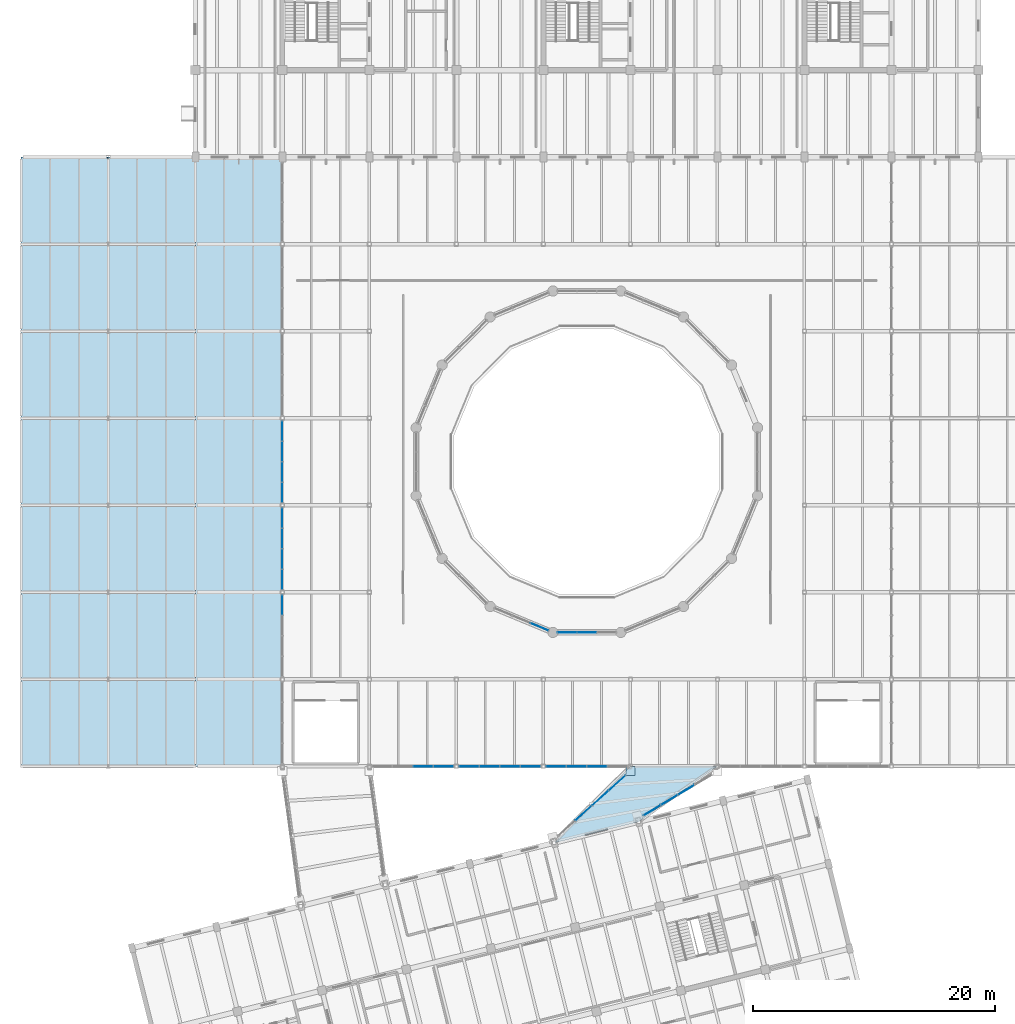
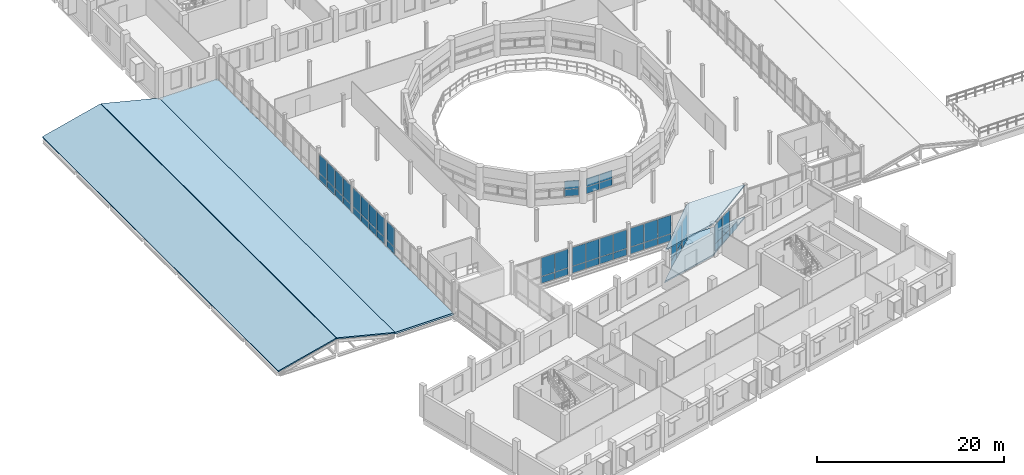
# One storey, part 39 of 63: 54 plates, 5 slabs, 10 elements without a shape of their own.
"""IFC4 building model written with IfcOpenShell, lengths in metres."""

from ifc_helpers import new_model, si_unit, direction, frame, frame_2d, origin, origin_2d, place, context, subcontext, project, spatial, polyline, rectangle, outline, extrude, material, layer, layer_set, type_object, element, aggregate, save


model = new_model("IFC4")

# Units and contexts
model_context = context("Model", 3, precision=1e-05, world=origin(), true_north=direction((0.0, 1.0)))
body_context = subcontext(model_context, "Body", "Model", "MODEL_VIEW")
ifc_project = project(units=[si_unit("LENGTHUNIT", "METRE"), si_unit("AREAUNIT", "SQUARE_METRE"), si_unit("VOLUMEUNIT", "CUBIC_METRE"), si_unit("PLANEANGLEUNIT", "RADIAN"), si_unit("MASSUNIT", "GRAM", prefix="KILO")], contexts=[model_context])

# Site, building, storey
site_placement = place(None, origin())
site = spatial("IfcSite", under=ifc_project, at=site_placement, CompositionType="ELEMENT")
building_placement = place(site_placement, origin())
building = spatial("IfcBuilding", under=site, at=building_placement, Name="Qiaolan Assembly House", CompositionType="ELEMENT")
storey_placement = place(building_placement, frame((0.0, 0.0, 14.39990234375)))
storey = spatial("IfcBuildingStorey", under=building, at=storey_placement, Name="L03", CompositionType="ELEMENT", Elevation=14.39990234375)

# Curtain wall, plates
ifc_material_1 = material(Name="Anodised bronze aluminium", Category="aluminium")
curtain_wall_type_1 = type_object("IfcCurtainWallType", Name="CW-BRIDGE-420", PredefinedType="NOTDEFINED", material=ifc_material_1)
curtain_wall_1_placement = place(storey_placement, origin())
curtain_wall_1 = element("IfcCurtainWall", 1, at=curtain_wall_1_placement, inside=storey, type_object=curtain_wall_type_1, Name="CW-03 Glazed Skybridge Curtain Wall EB L03 W", PredefinedType="NOTDEFINED")
ifc_material_2 = material(Name="Low-E double insulating glass", Category="glass")
ifc_layer_1 = layer(ifc_material_2, 0.030029296875)
ifc_layer_set_1 = layer_set([ifc_layer_1], Name="Low-E double insulating glass")
plate_type_1 = type_object("IfcPlateType", Name="CW-BRIDGE-420-PNL", PredefinedType="CURTAIN_PANEL", material=ifc_layer_set_1)
plate_1_placement = place(storey_placement, frame((67.46142578125, 31.536865234375, 0.05615234375), z_axis=(0.0, 0.0, 1.0), x_axis=(0.74511683549, 0.666933955853, 0.0)))
plate_1 = element("IfcPlate", 2, at=plate_1_placement, type_object=plate_type_1, Name="GL-04 glazing panel CW-BRIDGE-EB-L03-W-3", PredefinedType="CURTAIN_PANEL", context=body_context, shape_type="SweptSolid", body=[
    extrude(rectangle(XDim=1.795654296875, YDim=0.030029296875, at=frame_2d((0.89794921875, 0.0))), origin(), (0.0, 0.0, 1.0), 0.867919921875),
])
plate_2_placement = place(storey_placement, frame((67.46142578125, 31.536865234375, 0.97607421875), z_axis=(0.0, 0.0, 1.0), x_axis=(0.74511683549, 0.666933955853, 0.0)))
plate_2 = element("IfcPlate", 3, at=plate_2_placement, type_object=plate_type_1, Name="GL-04 glazing panel CW-BRIDGE-EB-L03-W-4", PredefinedType="CURTAIN_PANEL", context=body_context, shape_type="SweptSolid", body=[
    extrude(rectangle(XDim=1.795654296875, YDim=0.030029296875, at=frame_2d((0.89794921875, 0.0))), origin(), (0.0, 0.0, 1.0), 2.51806640625),
])
plate_3_placement = place(storey_placement, frame((68.845458984375, 32.775634765625, 0.05615234375), z_axis=(0.0, 0.0, 1.0), x_axis=(0.744988771168, 0.667077005175, 0.0)))
plate_3 = element("IfcPlate", 4, at=plate_3_placement, type_object=plate_type_1, Name="GL-04 glazing panel CW-BRIDGE-EB-L03-W-5", PredefinedType="CURTAIN_PANEL", context=body_context, shape_type="SweptSolid", body=[
    extrude(rectangle(XDim=1.79541015625, YDim=0.030029296875, at=frame_2d((0.897705078125, 0.0))), origin(), (0.0, 0.0, 1.0), 0.867919921875),
])
plate_4_placement = place(storey_placement, frame((68.845458984375, 32.775634765625, 0.97607421875), z_axis=(0.0, 0.0, 1.0), x_axis=(0.744988771168, 0.667077005175, 0.0)))
plate_4 = element("IfcPlate", 5, at=plate_4_placement, type_object=plate_type_1, Name="GL-04 glazing panel CW-BRIDGE-EB-L03-W-6", PredefinedType="CURTAIN_PANEL", context=body_context, shape_type="SweptSolid", body=[
    extrude(rectangle(XDim=1.79541015625, YDim=0.030029296875, at=frame_2d((0.897705078125, 0.0))), origin(), (0.0, 0.0, 1.0), 2.51806640625),
])
plate_5_placement = place(storey_placement, frame((70.2294921875, 34.014892578125, 0.05615234375), z_axis=(0.0, 0.0, 1.0), x_axis=(0.745056346619, 0.667001529506, 0.0)))
plate_5 = element("IfcPlate", 6, at=plate_5_placement, type_object=plate_type_1, Name="GL-04 glazing panel CW-BRIDGE-EB-L03-W-7", PredefinedType="CURTAIN_PANEL", context=body_context, shape_type="SweptSolid", body=[
    extrude(rectangle(XDim=1.79541015625, YDim=0.030029296875, at=frame_2d((0.897705078125, 0.0))), origin(), (0.0, 0.0, 1.0), 0.867919921875),
])
plate_6_placement = place(storey_placement, frame((70.2294921875, 34.014892578125, 0.97607421875), z_axis=(0.0, 0.0, 1.0), x_axis=(0.745056346619, 0.667001529506, 0.0)))
plate_6 = element("IfcPlate", 7, at=plate_6_placement, type_object=plate_type_1, Name="GL-04 glazing panel CW-BRIDGE-EB-L03-W-8", PredefinedType="CURTAIN_PANEL", context=body_context, shape_type="SweptSolid", body=[
    extrude(rectangle(XDim=1.79541015625, YDim=0.030029296875, at=frame_2d((0.897705078125, 0.0))), origin(), (0.0, 0.0, 1.0), 2.51806640625),
])
aggregate(curtain_wall_1, [plate_1, plate_2, plate_3, plate_4, plate_5, plate_6])

curtain_wall_2_placement = place(storey_placement, origin())
curtain_wall_2 = element("IfcCurtainWall", 8, at=curtain_wall_2_placement, inside=storey, type_object=curtain_wall_type_1, Name="CW-03 Glazed Skybridge Curtain Wall EB L03 E", PredefinedType="NOTDEFINED")
plate_7_placement = place(storey_placement, frame((77.29541015625, 34.455322265625, 0.05615234375), z_axis=(0.0, 0.0, 1.0), x_axis=(-0.857178991149, -0.515018618239, 0.0)))
plate_7 = element("IfcPlate", 9, at=plate_7_placement, type_object=plate_type_1, Name="GL-04 glazing panel CW-BRIDGE-EB-L03-E-3", PredefinedType="CURTAIN_PANEL", context=body_context, shape_type="SweptSolid", body=[
    extrude(rectangle(XDim=1.5791015625, YDim=0.030029296875, at=frame_2d((0.78955078125, 0.0))), origin(), (0.0, 0.0, 1.0), 0.867919921875),
])
plate_8_placement = place(storey_placement, frame((75.888916015625, 33.610107421875, 0.05615234375), z_axis=(0.0, 0.0, 1.0), x_axis=(-0.857110732757, -0.515132208071, 0.0)))
plate_8 = element("IfcPlate", 10, at=plate_8_placement, type_object=plate_type_1, Name="GL-04 glazing panel CW-BRIDGE-EB-L03-E-5", PredefinedType="CURTAIN_PANEL", context=body_context, shape_type="SweptSolid", body=[
    extrude(rectangle(XDim=1.5791015625, YDim=0.030029296875, at=frame_2d((0.78955078125, 0.0))), origin(), (0.0, 0.0, 1.0), 0.867919921875),
])
plate_9_placement = place(storey_placement, frame((75.888916015625, 33.610107421875, 0.97607421875), z_axis=(0.0, 0.0, 1.0), x_axis=(-0.857110732757, -0.515132208071, 0.0)))
plate_9 = element("IfcPlate", 11, at=plate_9_placement, type_object=plate_type_1, Name="GL-04 glazing panel CW-BRIDGE-EB-L03-E-6", PredefinedType="CURTAIN_PANEL", context=body_context, shape_type="SweptSolid", body=[
    extrude(rectangle(XDim=1.5791015625, YDim=0.030029296875, at=frame_2d((0.78955078125, 0.0))), origin(), (0.0, 0.0, 1.0), 2.51806640625),
])
plate_10_placement = place(storey_placement, frame((74.482177734375, 32.7646484375, 0.05615234375), z_axis=(0.0, 0.0, 1.0), x_axis=(-0.857110732757, -0.515132208071, 0.0)))
plate_10 = element("IfcPlate", 12, at=plate_10_placement, type_object=plate_type_1, Name="GL-04 glazing panel CW-BRIDGE-EB-L03-E-7", PredefinedType="CURTAIN_PANEL", context=body_context, shape_type="SweptSolid", body=[
    extrude(rectangle(XDim=1.5791015625, YDim=0.030029296875, at=frame_2d((0.78955078125, 0.0))), origin(), (0.0, 0.0, 1.0), 0.867919921875),
])
plate_11_placement = place(storey_placement, frame((74.482177734375, 32.7646484375, 0.97607421875), z_axis=(0.0, 0.0, 1.0), x_axis=(-0.857110732757, -0.515132208071, 0.0)))
plate_11 = element("IfcPlate", 13, at=plate_11_placement, type_object=plate_type_1, Name="GL-04 glazing panel CW-BRIDGE-EB-L03-E-8", PredefinedType="CURTAIN_PANEL", context=body_context, shape_type="SweptSolid", body=[
    extrude(rectangle(XDim=1.5791015625, YDim=0.030029296875, at=frame_2d((0.78955078125, 0.0))), origin(), (0.0, 0.0, 1.0), 2.51806640625),
])
aggregate(curtain_wall_2, [plate_7, plate_8, plate_9, plate_10, plate_11])

curtain_wall_type_2 = type_object("IfcCurtainWallType", Name="CW-DRUM-CLERESTORY", PredefinedType="NOTDEFINED", material=ifc_material_1)
curtain_wall_3_placement = place(storey_placement, origin())
curtain_wall_3 = element("IfcCurtainWall", 14, at=curtain_wall_3_placement, inside=storey, type_object=curtain_wall_type_2, Name="CW-06 Council Chamber Drum Clerestory Curtain Wall 11", PredefinedType="NOTDEFINED")
ifc_layer_2 = layer(ifc_material_2, 0.02392578125)
ifc_layer_set_2 = layer_set([ifc_layer_2], Name="Low-E double insulating glass")
plate_type_2 = type_object("IfcPlateType", Name="CW-DRUM-CLERESTORY-PNL", PredefinedType="CURTAIN_PANEL", material=ifc_layer_set_2)
plate_12_placement = place(storey_placement, frame((65.216552734375, 47.231689453125, 0.85107421875), z_axis=(0.0, 0.0, 1.0), x_axis=(-0.923880321581, 0.382681527377, 0.0)))
plate_12 = element("IfcPlate", 15, at=plate_12_placement, type_object=plate_type_2, Name="GL-07 glazing panel CW-DRUM-CLER-10-1", PredefinedType="CURTAIN_PANEL", context=body_context, shape_type="SweptSolid", body=[
    extrude(rectangle(XDim=1.5693359375, YDim=0.02392578125, at=frame_2d((0.78466796875, 0.0))), origin(), (0.0, 0.0, 1.0), 0.8779296875),
])
plate_13_placement = place(storey_placement, frame((65.216552734375, 47.231689453125, 1.77099609375), z_axis=(0.0, 0.0, 1.0), x_axis=(-0.923880321581, 0.382681527377, 0.0)))
plate_13 = element("IfcPlate", 16, at=plate_13_placement, type_object=plate_type_2, Name="GL-07 glazing panel CW-DRUM-CLER-10-2", PredefinedType="CURTAIN_PANEL", context=body_context, shape_type="SweptSolid", body=[
    extrude(rectangle(XDim=1.5693359375, YDim=0.02392578125, at=frame_2d((0.78466796875, 0.0))), origin(), (0.0, 0.0, 1.0), 1.078125),
])
aggregate(curtain_wall_3, [plate_12, plate_13])

curtain_wall_4_placement = place(storey_placement, origin())
curtain_wall_4 = element("IfcCurtainWall", 17, at=curtain_wall_4_placement, inside=storey, type_object=curtain_wall_type_2, Name="CW-06 Council Chamber Drum Clerestory Curtain Wall 12", PredefinedType="NOTDEFINED")
plate_14_placement = place(storey_placement, frame((69.184814453125, 47.07666015625, 0.85107421875), z_axis=(0.0, 0.0, 1.0), x_axis=(-1.0, 0.0, 0.0)))
plate_14 = element("IfcPlate", 18, at=plate_14_placement, type_object=plate_type_2, Name="GL-07 glazing panel CW-DRUM-CLER-11-3", PredefinedType="CURTAIN_PANEL", context=body_context, shape_type="SweptSolid", body=[
    extrude(rectangle(XDim=1.569580078125, YDim=0.02392578125, at=frame_2d((0.78466796875, 0.0))), origin(), (0.0, 0.0, 1.0), 0.8779296875),
])
plate_15_placement = place(storey_placement, frame((69.184814453125, 47.07666015625, 1.77099609375), z_axis=(0.0, 0.0, 1.0), x_axis=(-1.0, 0.0, 0.0)))
plate_15 = element("IfcPlate", 19, at=plate_15_placement, type_object=plate_type_2, Name="GL-07 glazing panel CW-DRUM-CLER-11-4", PredefinedType="CURTAIN_PANEL", context=body_context, shape_type="SweptSolid", body=[
    extrude(rectangle(XDim=1.569580078125, YDim=0.02392578125, at=frame_2d((0.78466796875, 0.0))), origin(), (0.0, 0.0, 1.0), 1.078125),
])
plate_16_placement = place(storey_placement, frame((67.565185546875, 47.07666015625, 0.85107421875), z_axis=(0.0, 0.0, 1.0), x_axis=(-1.0, 0.0, 0.0)))
plate_16 = element("IfcPlate", 20, at=plate_16_placement, type_object=plate_type_2, Name="GL-07 glazing panel CW-DRUM-CLER-11-5", PredefinedType="CURTAIN_PANEL", context=body_context, shape_type="SweptSolid", body=[
    extrude(rectangle(XDim=1.569580078125, YDim=0.02392578125, at=frame_2d((0.78466796875, 0.0))), origin(), (0.0, 0.0, 1.0), 0.8779296875),
])
plate_17_placement = place(storey_placement, frame((67.565185546875, 47.07666015625, 1.77099609375), z_axis=(0.0, 0.0, 1.0), x_axis=(-1.0, 0.0, 0.0)))
plate_17 = element("IfcPlate", 21, at=plate_17_placement, type_object=plate_type_2, Name="GL-07 glazing panel CW-DRUM-CLER-11-6", PredefinedType="CURTAIN_PANEL", context=body_context, shape_type="SweptSolid", body=[
    extrude(rectangle(XDim=1.569580078125, YDim=0.02392578125, at=frame_2d((0.78466796875, 0.0))), origin(), (0.0, 0.0, 1.0), 1.078125),
])
aggregate(curtain_wall_4, [plate_14, plate_15, plate_16, plate_17])

curtain_wall_type_3 = type_object("IfcCurtainWallType", Name="CW-HALL-CONC-420", PredefinedType="NOTDEFINED", material=ifc_material_1)
curtain_wall_5_placement = place(storey_placement, origin())
curtain_wall_5 = element("IfcCurtainWall", 22, at=curtain_wall_5_placement, inside=storey, type_object=curtain_wall_type_3, Name="CW-07 L03 Concourse South CW 2", PredefinedType="NOTDEFINED")
ifc_layer_3 = layer(ifc_material_2, 0.031005859375)
ifc_layer_set_3 = layer_set([ifc_layer_3], Name="Low-E double insulating glass")
plate_type_3 = type_object("IfcPlateType", Name="CW-HALL-CONC-420-PNL", PredefinedType="CURTAIN_PANEL", material=ifc_layer_set_3)
plate_18_placement = place(storey_placement, frame((54.032958984375, 36.0, 0.05810546875), z_axis=(0.0, 0.0, 1.0), x_axis=(1.0, 0.0, 0.0)))
plate_18 = element("IfcPlate", 23, at=plate_18_placement, type_object=plate_type_3, Name="GL-03 glazing panel CW-HLC-S-01-5", PredefinedType="CURTAIN_PANEL", context=body_context, shape_type="SweptSolid", body=[
    extrude(rectangle(XDim=1.629150390625, YDim=0.031005859375, at=frame_2d((0.814453125, 0.0))), origin(), (0.0, 0.0, 1.0), 0.864013671875),
])
plate_19_placement = place(storey_placement, frame((54.032958984375, 36.0, 0.97802734375), z_axis=(0.0, 0.0, 1.0), x_axis=(1.0, 0.0, 0.0)))
plate_19 = element("IfcPlate", 24, at=plate_19_placement, type_object=plate_type_3, Name="GL-03 glazing panel CW-HLC-S-01-6", PredefinedType="CURTAIN_PANEL", context=body_context, shape_type="SweptSolid", body=[
    extrude(rectangle(XDim=1.629150390625, YDim=0.031005859375, at=frame_2d((0.814453125, 0.0))), origin(), (0.0, 0.0, 1.0), 2.4140625),
])
plate_20_placement = place(storey_placement, frame((55.72802734375, 36.0, 0.05810546875), z_axis=(0.0, 0.0, 1.0), x_axis=(1.0, 0.0, 0.0)))
plate_20 = element("IfcPlate", 25, at=plate_20_placement, type_object=plate_type_3, Name="GL-03 glazing panel CW-HLC-S-01-7", PredefinedType="CURTAIN_PANEL", context=body_context, shape_type="SweptSolid", body=[
    extrude(rectangle(XDim=1.62890625, YDim=0.031005859375, at=frame_2d((0.814453125, 0.0))), origin(), (0.0, 0.0, 1.0), 0.864013671875),
])
plate_21_placement = place(storey_placement, frame((55.72802734375, 36.0, 0.97802734375), z_axis=(0.0, 0.0, 1.0), x_axis=(1.0, 0.0, 0.0)))
plate_21 = element("IfcPlate", 26, at=plate_21_placement, type_object=plate_type_3, Name="GL-03 glazing panel CW-HLC-S-01-8", PredefinedType="CURTAIN_PANEL", context=body_context, shape_type="SweptSolid", body=[
    extrude(rectangle(XDim=1.62890625, YDim=0.031005859375, at=frame_2d((0.814453125, 0.0))), origin(), (0.0, 0.0, 1.0), 2.4140625),
])
aggregate(curtain_wall_5, [plate_18, plate_19, plate_20, plate_21])

curtain_wall_6_placement = place(storey_placement, origin())
curtain_wall_6 = element("IfcCurtainWall", 27, at=curtain_wall_6_placement, inside=storey, type_object=curtain_wall_type_3, Name="CW-07 L03 Concourse South CW 3", PredefinedType="NOTDEFINED")
plate_22_placement = place(storey_placement, frame((57.843017578125, 36.0, 0.05810546875), z_axis=(0.0, 0.0, 1.0), x_axis=(1.0, 0.0, 0.0)))
plate_22 = element("IfcPlate", 28, at=plate_22_placement, type_object=plate_type_3, Name="GL-03 glazing panel CW-HLC-S-02-1", PredefinedType="CURTAIN_PANEL", context=body_context, shape_type="SweptSolid", body=[
    extrude(rectangle(XDim=1.62890625, YDim=0.031005859375, at=frame_2d((0.814453125, 0.0))), origin(), (0.0, 0.0, 1.0), 0.864013671875),
])
plate_23_placement = place(storey_placement, frame((57.843017578125, 36.0, 0.97802734375), z_axis=(0.0, 0.0, 1.0), x_axis=(1.0, 0.0, 0.0)))
plate_23 = element("IfcPlate", 29, at=plate_23_placement, type_object=plate_type_3, Name="GL-03 glazing panel CW-HLC-S-02-2", PredefinedType="CURTAIN_PANEL", context=body_context, shape_type="SweptSolid", body=[
    extrude(rectangle(XDim=1.62890625, YDim=0.031005859375, at=frame_2d((0.814453125, 0.0))), origin(), (0.0, 0.0, 1.0), 2.4140625),
])
plate_24_placement = place(storey_placement, frame((59.5380859375, 36.0, 0.05810546875), z_axis=(0.0, 0.0, 1.0), x_axis=(1.0, 0.0, 0.0)))
plate_24 = element("IfcPlate", 30, at=plate_24_placement, type_object=plate_type_3, Name="GL-03 glazing panel CW-HLC-S-02-3", PredefinedType="CURTAIN_PANEL", context=body_context, shape_type="SweptSolid", body=[
    extrude(rectangle(XDim=1.62890625, YDim=0.031005859375, at=frame_2d((0.814453125, 0.0))), origin(), (0.0, 0.0, 1.0), 0.864013671875),
])
plate_25_placement = place(storey_placement, frame((59.5380859375, 36.0, 0.97802734375), z_axis=(0.0, 0.0, 1.0), x_axis=(1.0, 0.0, 0.0)))
plate_25 = element("IfcPlate", 31, at=plate_25_placement, type_object=plate_type_3, Name="GL-03 glazing panel CW-HLC-S-02-4", PredefinedType="CURTAIN_PANEL", context=body_context, shape_type="SweptSolid", body=[
    extrude(rectangle(XDim=1.62890625, YDim=0.031005859375, at=frame_2d((0.814453125, 0.0))), origin(), (0.0, 0.0, 1.0), 2.4140625),
])
plate_26_placement = place(storey_placement, frame((61.23291015625, 36.0, 0.05810546875), z_axis=(0.0, 0.0, 1.0), x_axis=(1.0, 0.0, 0.0)))
plate_26 = element("IfcPlate", 32, at=plate_26_placement, type_object=plate_type_3, Name="GL-03 glazing panel CW-HLC-S-02-5", PredefinedType="CURTAIN_PANEL", context=body_context, shape_type="SweptSolid", body=[
    extrude(rectangle(XDim=1.629150390625, YDim=0.031005859375, at=frame_2d((0.814453125, 0.0))), origin(), (0.0, 0.0, 1.0), 0.864013671875),
])
plate_27_placement = place(storey_placement, frame((61.23291015625, 36.0, 0.97802734375), z_axis=(0.0, 0.0, 1.0), x_axis=(1.0, 0.0, 0.0)))
plate_27 = element("IfcPlate", 33, at=plate_27_placement, type_object=plate_type_3, Name="GL-03 glazing panel CW-HLC-S-02-6", PredefinedType="CURTAIN_PANEL", context=body_context, shape_type="SweptSolid", body=[
    extrude(rectangle(XDim=1.629150390625, YDim=0.031005859375, at=frame_2d((0.814453125, 0.0))), origin(), (0.0, 0.0, 1.0), 2.4140625),
])
plate_28_placement = place(storey_placement, frame((62.927978515625, 36.0, 0.05810546875), z_axis=(0.0, 0.0, 1.0), x_axis=(1.0, 0.0, 0.0)))
plate_28 = element("IfcPlate", 34, at=plate_28_placement, type_object=plate_type_3, Name="GL-03 glazing panel CW-HLC-S-02-7", PredefinedType="CURTAIN_PANEL", context=body_context, shape_type="SweptSolid", body=[
    extrude(rectangle(XDim=1.62890625, YDim=0.031005859375, at=frame_2d((0.814453125, 0.0))), origin(), (0.0, 0.0, 1.0), 0.864013671875),
])
plate_29_placement = place(storey_placement, frame((62.927978515625, 36.0, 0.97802734375), z_axis=(0.0, 0.0, 1.0), x_axis=(1.0, 0.0, 0.0)))
plate_29 = element("IfcPlate", 35, at=plate_29_placement, type_object=plate_type_3, Name="GL-03 glazing panel CW-HLC-S-02-8", PredefinedType="CURTAIN_PANEL", context=body_context, shape_type="SweptSolid", body=[
    extrude(rectangle(XDim=1.62890625, YDim=0.031005859375, at=frame_2d((0.814453125, 0.0))), origin(), (0.0, 0.0, 1.0), 2.4140625),
])
aggregate(curtain_wall_6, [plate_22, plate_23, plate_24, plate_25, plate_26, plate_27, plate_28, plate_29])

curtain_wall_7_placement = place(storey_placement, origin())
curtain_wall_7 = element("IfcCurtainWall", 36, at=curtain_wall_7_placement, inside=storey, type_object=curtain_wall_type_3, Name="CW-07 L03 Concourse South CW 4", PredefinedType="NOTDEFINED")
plate_30_placement = place(storey_placement, frame((65.04296875, 36.0, 0.05810546875), z_axis=(0.0, 0.0, 1.0), x_axis=(1.0, 0.0, 0.0)))
plate_30 = element("IfcPlate", 37, at=plate_30_placement, type_object=plate_type_3, Name="GL-03 glazing panel CW-HLC-S-03-1", PredefinedType="CURTAIN_PANEL", context=body_context, shape_type="SweptSolid", body=[
    extrude(rectangle(XDim=1.629150390625, YDim=0.031005859375, at=frame_2d((0.814453125, 0.0))), origin(), (0.0, 0.0, 1.0), 0.864013671875),
])
plate_31_placement = place(storey_placement, frame((65.04296875, 36.0, 0.97802734375), z_axis=(0.0, 0.0, 1.0), x_axis=(1.0, 0.0, 0.0)))
plate_31 = element("IfcPlate", 38, at=plate_31_placement, type_object=plate_type_3, Name="GL-03 glazing panel CW-HLC-S-03-2", PredefinedType="CURTAIN_PANEL", context=body_context, shape_type="SweptSolid", body=[
    extrude(rectangle(XDim=1.629150390625, YDim=0.031005859375, at=frame_2d((0.814453125, 0.0))), origin(), (0.0, 0.0, 1.0), 2.4140625),
])
plate_32_placement = place(storey_placement, frame((66.738037109375, 36.0, 0.05810546875), z_axis=(0.0, 0.0, 1.0), x_axis=(1.0, 0.0, 0.0)))
plate_32 = element("IfcPlate", 39, at=plate_32_placement, type_object=plate_type_3, Name="GL-03 glazing panel CW-HLC-S-03-3", PredefinedType="CURTAIN_PANEL", context=body_context, shape_type="SweptSolid", body=[
    extrude(rectangle(XDim=1.62890625, YDim=0.031005859375, at=frame_2d((0.814453125, 0.0))), origin(), (0.0, 0.0, 1.0), 0.864013671875),
])
plate_33_placement = place(storey_placement, frame((66.738037109375, 36.0, 0.97802734375), z_axis=(0.0, 0.0, 1.0), x_axis=(1.0, 0.0, 0.0)))
plate_33 = element("IfcPlate", 40, at=plate_33_placement, type_object=plate_type_3, Name="GL-03 glazing panel CW-HLC-S-03-4", PredefinedType="CURTAIN_PANEL", context=body_context, shape_type="SweptSolid", body=[
    extrude(rectangle(XDim=1.62890625, YDim=0.031005859375, at=frame_2d((0.814453125, 0.0))), origin(), (0.0, 0.0, 1.0), 2.4140625),
])
plate_34_placement = place(storey_placement, frame((68.43310546875, 36.0, 0.05810546875), z_axis=(0.0, 0.0, 1.0), x_axis=(1.0, 0.0, 0.0)))
plate_34 = element("IfcPlate", 41, at=plate_34_placement, type_object=plate_type_3, Name="GL-03 glazing panel CW-HLC-S-03-5", PredefinedType="CURTAIN_PANEL", context=body_context, shape_type="SweptSolid", body=[
    extrude(rectangle(XDim=1.62890625, YDim=0.031005859375, at=frame_2d((0.814453125, 0.0))), origin(), (0.0, 0.0, 1.0), 0.864013671875),
])
plate_35_placement = place(storey_placement, frame((68.43310546875, 36.0, 0.97802734375), z_axis=(0.0, 0.0, 1.0), x_axis=(1.0, 0.0, 0.0)))
plate_35 = element("IfcPlate", 42, at=plate_35_placement, type_object=plate_type_3, Name="GL-03 glazing panel CW-HLC-S-03-6", PredefinedType="CURTAIN_PANEL", context=body_context, shape_type="SweptSolid", body=[
    extrude(rectangle(XDim=1.62890625, YDim=0.031005859375, at=frame_2d((0.814453125, 0.0))), origin(), (0.0, 0.0, 1.0), 2.4140625),
])
aggregate(curtain_wall_7, [plate_30, plate_31, plate_32, plate_33, plate_34, plate_35])

curtain_wall_8_placement = place(storey_placement, origin())
curtain_wall_8 = element("IfcCurtainWall", 43, at=curtain_wall_8_placement, inside=storey, type_object=curtain_wall_type_3, Name="CW-07 L03 Concourse West CW 2", PredefinedType="NOTDEFINED")
plate_36_placement = place(storey_placement, frame((43.199951171875, 48.528076171875, 0.05810546875), z_axis=(0.0, 0.0, 1.0), x_axis=(0.0, 1.0, 0.0)))
plate_36 = element("IfcPlate", 44, at=plate_36_placement, type_object=plate_type_3, Name="GL-03 glazing panel CW-HLC-W-01-7", PredefinedType="CURTAIN_PANEL", context=body_context, shape_type="SweptSolid", body=[
    extrude(rectangle(XDim=1.62890625, YDim=0.031005859375, at=frame_2d((0.814453125, 0.0))), origin(), (0.0, 0.0, 1.0), 0.864013671875),
])
plate_37_placement = place(storey_placement, frame((43.199951171875, 48.528076171875, 0.97802734375), z_axis=(0.0, 0.0, 1.0), x_axis=(0.0, 1.0, 0.0)))
plate_37 = element("IfcPlate", 45, at=plate_37_placement, type_object=plate_type_3, Name="GL-03 glazing panel CW-HLC-W-01-8", PredefinedType="CURTAIN_PANEL", context=body_context, shape_type="SweptSolid", body=[
    extrude(rectangle(XDim=1.62890625, YDim=0.031005859375, at=frame_2d((0.814453125, 0.0))), origin(), (0.0, 0.0, 1.0), 2.4140625),
])
aggregate(curtain_wall_8, [plate_36, plate_37])

curtain_wall_9_placement = place(storey_placement, origin())
curtain_wall_9 = element("IfcCurtainWall", 46, at=curtain_wall_9_placement, inside=storey, type_object=curtain_wall_type_3, Name="CW-07 L03 Concourse West CW 3", PredefinedType="NOTDEFINED")
plate_38_placement = place(storey_placement, frame((43.199951171875, 50.64306640625, 0.05810546875), z_axis=(0.0, 0.0, 1.0), x_axis=(0.0, 1.0, 0.0)))
plate_38 = element("IfcPlate", 47, at=plate_38_placement, type_object=plate_type_3, Name="GL-03 glazing panel CW-HLC-W-02-1", PredefinedType="CURTAIN_PANEL", context=body_context, shape_type="SweptSolid", body=[
    extrude(rectangle(XDim=1.62890625, YDim=0.031005859375, at=frame_2d((0.814453125, 0.0))), origin(), (0.0, 0.0, 1.0), 0.864013671875),
])
plate_39_placement = place(storey_placement, frame((43.199951171875, 50.64306640625, 0.97802734375), z_axis=(0.0, 0.0, 1.0), x_axis=(0.0, 1.0, 0.0)))
plate_39 = element("IfcPlate", 48, at=plate_39_placement, type_object=plate_type_3, Name="GL-03 glazing panel CW-HLC-W-02-2", PredefinedType="CURTAIN_PANEL", context=body_context, shape_type="SweptSolid", body=[
    extrude(rectangle(XDim=1.62890625, YDim=0.031005859375, at=frame_2d((0.814453125, 0.0))), origin(), (0.0, 0.0, 1.0), 2.4140625),
])
plate_40_placement = place(storey_placement, frame((43.199951171875, 52.337890625, 0.05810546875), z_axis=(0.0, 0.0, 1.0), x_axis=(0.0, 1.0, 0.0)))
plate_40 = element("IfcPlate", 49, at=plate_40_placement, type_object=plate_type_3, Name="GL-03 glazing panel CW-HLC-W-02-3", PredefinedType="CURTAIN_PANEL", context=body_context, shape_type="SweptSolid", body=[
    extrude(rectangle(XDim=1.629150390625, YDim=0.031005859375, at=frame_2d((0.814453125, 0.0))), origin(), (0.0, 0.0, 1.0), 0.864013671875),
])
plate_41_placement = place(storey_placement, frame((43.199951171875, 52.337890625, 0.97802734375), z_axis=(0.0, 0.0, 1.0), x_axis=(0.0, 1.0, 0.0)))
plate_41 = element("IfcPlate", 50, at=plate_41_placement, type_object=plate_type_3, Name="GL-03 glazing panel CW-HLC-W-02-4", PredefinedType="CURTAIN_PANEL", context=body_context, shape_type="SweptSolid", body=[
    extrude(rectangle(XDim=1.629150390625, YDim=0.031005859375, at=frame_2d((0.814453125, 0.0))), origin(), (0.0, 0.0, 1.0), 2.4140625),
])
plate_42_placement = place(storey_placement, frame((43.199951171875, 54.032958984375, 0.05810546875), z_axis=(0.0, 0.0, 1.0), x_axis=(0.0, 1.0, 0.0)))
plate_42 = element("IfcPlate", 51, at=plate_42_placement, type_object=plate_type_3, Name="GL-03 glazing panel CW-HLC-W-02-5", PredefinedType="CURTAIN_PANEL", context=body_context, shape_type="SweptSolid", body=[
    extrude(rectangle(XDim=1.629150390625, YDim=0.031005859375, at=frame_2d((0.814453125, 0.0))), origin(), (0.0, 0.0, 1.0), 0.864013671875),
])
plate_43_placement = place(storey_placement, frame((43.199951171875, 54.032958984375, 0.97802734375), z_axis=(0.0, 0.0, 1.0), x_axis=(0.0, 1.0, 0.0)))
plate_43 = element("IfcPlate", 52, at=plate_43_placement, type_object=plate_type_3, Name="GL-03 glazing panel CW-HLC-W-02-6", PredefinedType="CURTAIN_PANEL", context=body_context, shape_type="SweptSolid", body=[
    extrude(rectangle(XDim=1.629150390625, YDim=0.031005859375, at=frame_2d((0.814453125, 0.0))), origin(), (0.0, 0.0, 1.0), 2.4140625),
])
plate_44_placement = place(storey_placement, frame((43.199951171875, 55.72802734375, 0.05810546875), z_axis=(0.0, 0.0, 1.0), x_axis=(0.0, 1.0, 0.0)))
plate_44 = element("IfcPlate", 53, at=plate_44_placement, type_object=plate_type_3, Name="GL-03 glazing panel CW-HLC-W-02-7", PredefinedType="CURTAIN_PANEL", context=body_context, shape_type="SweptSolid", body=[
    extrude(rectangle(XDim=1.62890625, YDim=0.031005859375, at=frame_2d((0.814453125, 0.0))), origin(), (0.0, 0.0, 1.0), 0.864013671875),
])
plate_45_placement = place(storey_placement, frame((43.199951171875, 55.72802734375, 0.97802734375), z_axis=(0.0, 0.0, 1.0), x_axis=(0.0, 1.0, 0.0)))
plate_45 = element("IfcPlate", 54, at=plate_45_placement, type_object=plate_type_3, Name="GL-03 glazing panel CW-HLC-W-02-8", PredefinedType="CURTAIN_PANEL", context=body_context, shape_type="SweptSolid", body=[
    extrude(rectangle(XDim=1.62890625, YDim=0.031005859375, at=frame_2d((0.814453125, 0.0))), origin(), (0.0, 0.0, 1.0), 2.4140625),
])
aggregate(curtain_wall_9, [plate_38, plate_39, plate_40, plate_41, plate_42, plate_43, plate_44, plate_45])

curtain_wall_10_placement = place(storey_placement, origin())
curtain_wall_10 = element("IfcCurtainWall", 55, at=curtain_wall_10_placement, inside=storey, type_object=curtain_wall_type_3, Name="CW-07 L03 Concourse West CW 4", PredefinedType="NOTDEFINED")
plate_46_placement = place(storey_placement, frame((43.199951171875, 57.843017578125, 0.05810546875), z_axis=(0.0, 0.0, 1.0), x_axis=(0.0, 1.0, 0.0)))
plate_46 = element("IfcPlate", 56, at=plate_46_placement, type_object=plate_type_3, Name="GL-03 glazing panel CW-HLC-W-03-1", PredefinedType="CURTAIN_PANEL", context=body_context, shape_type="SweptSolid", body=[
    extrude(rectangle(XDim=1.62890625, YDim=0.031005859375, at=frame_2d((0.814453125, 0.0))), origin(), (0.0, 0.0, 1.0), 0.864013671875),
])
plate_47_placement = place(storey_placement, frame((43.199951171875, 57.843017578125, 0.97802734375), z_axis=(0.0, 0.0, 1.0), x_axis=(0.0, 1.0, 0.0)))
plate_47 = element("IfcPlate", 57, at=plate_47_placement, type_object=plate_type_3, Name="GL-03 glazing panel CW-HLC-W-03-2", PredefinedType="CURTAIN_PANEL", context=body_context, shape_type="SweptSolid", body=[
    extrude(rectangle(XDim=1.62890625, YDim=0.031005859375, at=frame_2d((0.814453125, 0.0))), origin(), (0.0, 0.0, 1.0), 2.4140625),
])
plate_48_placement = place(storey_placement, frame((43.199951171875, 59.5380859375, 0.05810546875), z_axis=(0.0, 0.0, 1.0), x_axis=(0.0, 1.0, 0.0)))
plate_48 = element("IfcPlate", 58, at=plate_48_placement, type_object=plate_type_3, Name="GL-03 glazing panel CW-HLC-W-03-3", PredefinedType="CURTAIN_PANEL", context=body_context, shape_type="SweptSolid", body=[
    extrude(rectangle(XDim=1.62890625, YDim=0.031005859375, at=frame_2d((0.814453125, 0.0))), origin(), (0.0, 0.0, 1.0), 0.864013671875),
])
plate_49_placement = place(storey_placement, frame((43.199951171875, 59.5380859375, 0.97802734375), z_axis=(0.0, 0.0, 1.0), x_axis=(0.0, 1.0, 0.0)))
plate_49 = element("IfcPlate", 59, at=plate_49_placement, type_object=plate_type_3, Name="GL-03 glazing panel CW-HLC-W-03-4", PredefinedType="CURTAIN_PANEL", context=body_context, shape_type="SweptSolid", body=[
    extrude(rectangle(XDim=1.62890625, YDim=0.031005859375, at=frame_2d((0.814453125, 0.0))), origin(), (0.0, 0.0, 1.0), 2.4140625),
])
plate_50_placement = place(storey_placement, frame((43.199951171875, 61.23291015625, 0.05810546875), z_axis=(0.0, 0.0, 1.0), x_axis=(0.0, 1.0, 0.0)))
plate_50 = element("IfcPlate", 60, at=plate_50_placement, type_object=plate_type_3, Name="GL-03 glazing panel CW-HLC-W-03-5", PredefinedType="CURTAIN_PANEL", context=body_context, shape_type="SweptSolid", body=[
    extrude(rectangle(XDim=1.629150390625, YDim=0.031005859375, at=frame_2d((0.814453125, 0.0))), origin(), (0.0, 0.0, 1.0), 0.864013671875),
])
plate_51_placement = place(storey_placement, frame((43.199951171875, 61.23291015625, 0.97802734375), z_axis=(0.0, 0.0, 1.0), x_axis=(0.0, 1.0, 0.0)))
plate_51 = element("IfcPlate", 61, at=plate_51_placement, type_object=plate_type_3, Name="GL-03 glazing panel CW-HLC-W-03-6", PredefinedType="CURTAIN_PANEL", context=body_context, shape_type="SweptSolid", body=[
    extrude(rectangle(XDim=1.629150390625, YDim=0.031005859375, at=frame_2d((0.814453125, 0.0))), origin(), (0.0, 0.0, 1.0), 2.4140625),
])
plate_52_placement = place(storey_placement, frame((43.199951171875, 62.927978515625, 0.05810546875), z_axis=(0.0, 0.0, 1.0), x_axis=(0.0, 1.0, 0.0)))
plate_52 = element("IfcPlate", 62, at=plate_52_placement, type_object=plate_type_3, Name="GL-03 glazing panel CW-HLC-W-03-7", PredefinedType="CURTAIN_PANEL", context=body_context, shape_type="SweptSolid", body=[
    extrude(rectangle(XDim=1.62890625, YDim=0.031005859375, at=frame_2d((0.814453125, 0.0))), origin(), (0.0, 0.0, 1.0), 0.864013671875),
])
plate_53_placement = place(storey_placement, frame((43.199951171875, 62.927978515625, 0.97802734375), z_axis=(0.0, 0.0, 1.0), x_axis=(0.0, 1.0, 0.0)))
plate_53 = element("IfcPlate", 63, at=plate_53_placement, type_object=plate_type_3, Name="GL-03 glazing panel CW-HLC-W-03-8", PredefinedType="CURTAIN_PANEL", context=body_context, shape_type="SweptSolid", body=[
    extrude(rectangle(XDim=1.62890625, YDim=0.031005859375, at=frame_2d((0.814453125, 0.0))), origin(), (0.0, 0.0, 1.0), 2.4140625),
])
aggregate(curtain_wall_10, [plate_46, plate_47, plate_48, plate_49, plate_50, plate_51, plate_52, plate_53])

# Plate
ifc_material_3 = material(Name="Steel Q355B", Category="steel")
ifc_layer_4 = layer(ifc_material_3, 0.02490234375)
ifc_layer_set_4 = layer_set([ifc_layer_4], Name="Steel Q355B")
plate_type_4 = type_object("IfcPlateType", Name="PLT-SEAT-PTFE-450", PredefinedType="SHEET", material=ifc_layer_set_4)
plate_54_placement = place(storey_placement, frame((72.0, 35.625, -0.61181640625), z_axis=(0.0, 0.0, 1.0), x_axis=(1.0, 0.0, 0.0)))
element("IfcPlate", 64, at=plate_54_placement, inside=storey, type_object=plate_type_4, Name="NP-03 Hall bridge 750mm steel seat shelf EB L03", PredefinedType="SHEET", context=body_context, shape_type="SweptSolid", body=[
    extrude(rectangle(XDim=0.75, YDim=0.75, at=origin_2d()), origin(), (0.0, 0.0, 1.0), 0.035888671875),
])

# Slabs
ifc_material_4 = material(Name="Concrete C40/50", Category="concrete")
ifc_layer_5 = layer(ifc_material_4, 0.18505859375)
ifc_layer_set_5 = layer_set([ifc_layer_5], Name="Concrete C40/50")
slab_type_1 = type_object("IfcSlabType", Name="SLB-BRIDGE-185", PredefinedType="FLOOR", material=ifc_layer_set_5)
slab_1_placement = place(storey_placement, frame((0.0, 0.0, -0.184814453125)))
element("IfcSlab", 65, at=slab_1_placement, inside=storey, type_object=slab_type_1, Name="FS-08 Glazed Skybridge Deck EB L03", PredefinedType="FLOOR", context=body_context, shape_type="SweptSolid", body=[
    extrude(outline(polyline([(65.676025390625, 29.783935546875), (72.662353515625, 31.52587890625), (79.199951171875, 36.0), (72.0, 36.0), (65.676025390625, 29.783935546875)])), origin(), (0.0, 0.0, 1.0), 0.184814453125),
])
slab_2_placement = place(storey_placement, frame((0.0, 0.0, 4.01513671875)))
element("IfcSlab", 66, at=slab_2_placement, inside=storey, type_object=slab_type_1, Name="Glazed Skybridge Roof Deck EB L03", PredefinedType="FLOOR", context=body_context, shape_type="SweptSolid", body=[
    extrude(outline(polyline([(65.705078125, 29.66748046875), (72.691162109375, 31.409423828125), (79.199951171875, 36.0), (72.0, 36.0), (65.705078125, 29.66748046875)])), origin(), (0.0, 0.0, 1.0), 0.18505859375),
])
ifc_layer_6 = layer(ifc_material_4, 0.2451171875)
ifc_layer_set_6 = layer_set([ifc_layer_6], Name="Concrete C40/50")
slab_type_2 = type_object("IfcSlabType", Name="SLB-ROOF-MAIN-245", PredefinedType="ROOF", material=ifc_layer_set_6)
slab_3_placement = place(storey_placement, frame((0.0, 0.0, -0.244873046875)))
element("IfcSlab", 67, at=slab_3_placement, inside=storey, type_object=slab_type_2, Name="RS-01 Hall West Transition Roof Slab L03", PredefinedType="ROOF", context=body_context, shape_type="SweptSolid", body=[
    extrude(outline(polyline([(36.0, 36.0), (43.199951171875, 36.0), (43.199951171875, 86.39990234375), (36.0, 86.39990234375), (36.0, 36.0)])), origin(), (0.0, 0.0, 1.0), 0.244873046875),
])
ifc_material_5 = material(Name="Low-E tempered safety skylight glass", Category="glass")
ifc_layer_7 = layer(ifc_material_5, 0.155029296875)
ifc_layer_set_7 = layer_set([ifc_layer_7], Name="Low-E tempered safety skylight glass")
slab_type_3 = type_object("IfcSlabType", Name="SLB-ROOF-SKYLIGHT-155", PredefinedType="ROOF", material=ifc_layer_set_7)
for number, where, z_axis, x_axis, name in (
    (68, (21.60009765625, 36.0, 0.0), (-0.241951725469, 0.0, 0.970288288367), (0.970288288367, 0.0, 0.241951725469), "RS-05 W Hall Skylight Roof West Slope (14 deg)"),
    (69, (28.840087890625, 36.0, 1.785400390625), (0.241951725469, 0.0, 0.970288288367), (0.970288288367, 0.0, -0.241951725469), "RS-05 W Hall Skylight Roof East Slope (14 deg)"),
):
    element("IfcSlab", number, at=place(storey_placement, frame(where, z_axis=z_axis, x_axis=x_axis)), inside=storey, type_object=slab_type_3, Name=name, PredefinedType="ROOF", context=body_context, shape_type="SweptSolid", body=[
        extrude(outline(polyline([(0.0, 0.0), (7.379159570629889, 0.0), (7.379159570629889, 50.39990234375), (0.0, 50.39990234375), (0.0, 0.0)])), origin(), (0.0, 0.0, -1.0), 0.155029296875),
    ])

save(model, "model.ifc")
